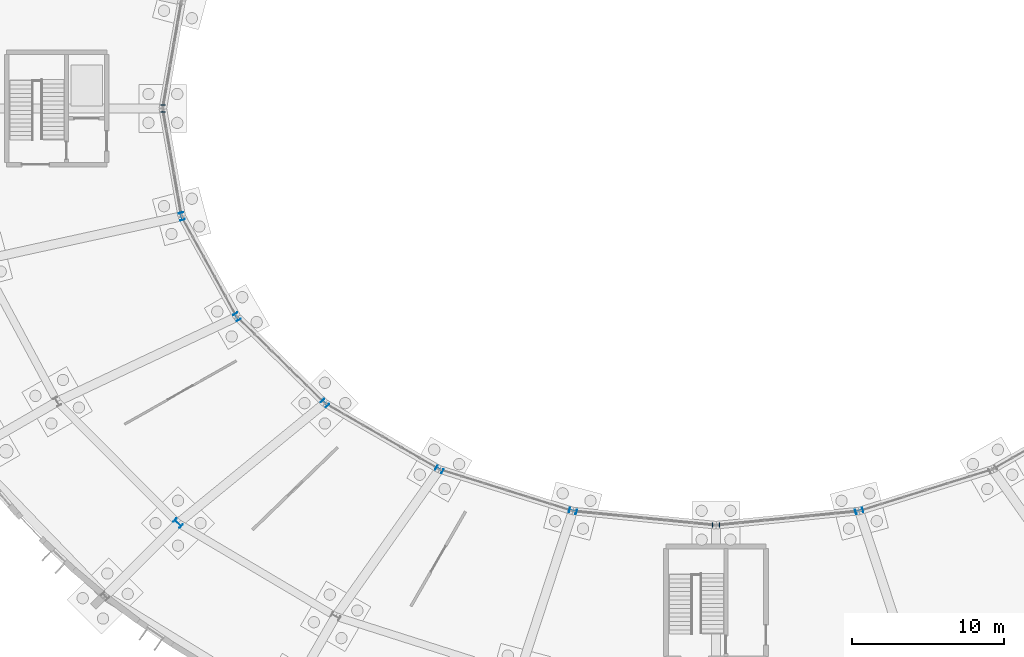
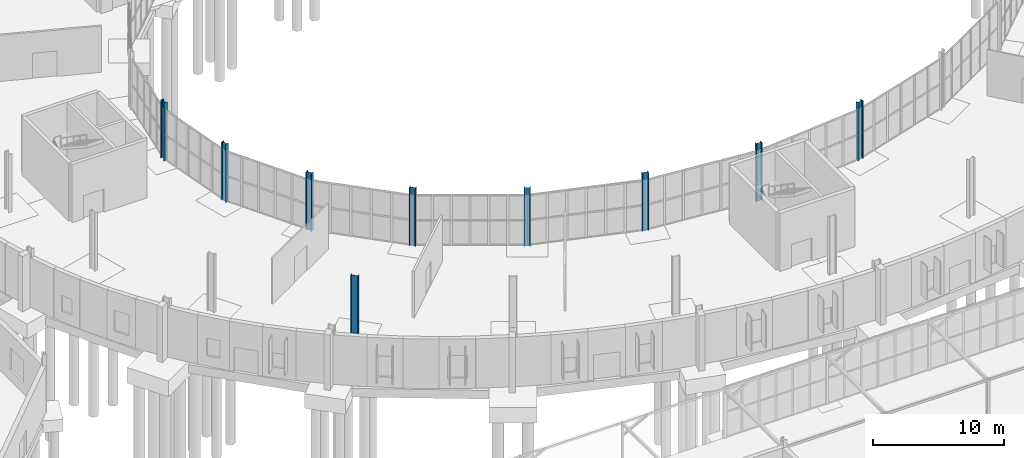
# One storey, part 27 of 118: 9 columns.
"""IFC4 building model written with IfcOpenShell, lengths in metres."""

from ifc_helpers import new_model, si_unit, direction, frame, origin, origin_2d, place, context, subcontext, project, spatial, i_section, extrude, material, material_profile, profile_set, type_object, element, save


model = new_model("IFC4")

# Units and contexts
model_context = context("Model", 3, precision=1e-05, world=origin(), true_north=direction((0.0, 1.0)))
body_context = subcontext(model_context, "Body", "Model", "MODEL_VIEW")
ifc_project = project(units=[si_unit("LENGTHUNIT", "METRE"), si_unit("AREAUNIT", "SQUARE_METRE"), si_unit("VOLUMEUNIT", "CUBIC_METRE"), si_unit("PLANEANGLEUNIT", "RADIAN"), si_unit("MASSUNIT", "GRAM", prefix="KILO")], contexts=[model_context])

# Site, building, storey
site_placement = place(None, origin())
site = spatial("IfcSite", under=ifc_project, at=site_placement, CompositionType="ELEMENT")
building_placement = place(site_placement, origin())
building = spatial("IfcBuilding", under=site, at=building_placement, Name="Kildeholm Park Wholesale Market", CompositionType="ELEMENT")
storey_placement = place(building_placement, origin())
storey = spatial("IfcBuildingStorey", under=building, at=storey_placement, Name="L00", CompositionType="ELEMENT", Elevation=0.0)

# Columns
ifc_material = material(Name="Steel S355", Category="steel")
ifc_material_profile_1 = material_profile(ifc_material, i_section(OverallWidth=0.300048828125, OverallDepth=0.5, WebThickness=0.014404296875, FlangeThickness=0.028076171875, FilletRadius=0.027099609375, at=origin_2d()), Name="HEB 500")
ifc_profile_set_1 = profile_set([ifc_material_profile_1], Name="Steel S355")
column_type_1 = type_object("IfcColumnType", Name="Column C-S07 HEB 500", PredefinedType="COLUMN", material=ifc_profile_set_1)
for number, where, z_axis, x_axis, name in (
    (1, (62.5, 89.5, 0.0), (0.0, 0.0, 1.0), (-1.0, 0.0, 0.0), "Column V1-IN-12 L00 COL-0109"),
    (2, (63.743896484375, 82.382080078125, 0.0), (0.0, 0.0, 1.0), (-0.965925826289, -0.258819045103, 0.0), "Column V1-IN-13 L00 COL-0118"),
    (3, (67.389892578125, 75.75, 0.0), (0.0, 0.0, 1.0), (-0.866025403784, -0.5, 0.0), "Column V1-IN-14 L00 COL-0127"),
    (4, (73.19091796875, 70.054931640625, 0.0), (0.0, 0.0, 1.0), (-0.707106781187, -0.707106781187, 0.0), "Column V1-IN-15 L00 COL-0136"),
    (5, (80.75, 65.68408203125, 0.0), (0.0, 0.0, 1.0), (-0.5, -0.866025403784, 0.0), "Column V1-IN-16 L00 COL-0145"),
    (6, (89.552978515625, 62.93701171875, 0.0), (0.0, 0.0, 1.0), (-0.258819045103, -0.965925826289, 0.0), "Column V1-IN-17 L00 COL-0154"),
    (7, (99.0, 62.0, 0.0), (0.0, 0.0, 1.0), (0.0, -1.0, 0.0), "Column V1-IN-18 L00 COL-0163"),
    (8, (108.447021484375, 62.93701171875, 0.0), (0.0, 0.0, 1.0), (0.258819045103, -0.965925826289, 0.0), "Column V1-IN-19 L00 COL-0172"),
):
    element("IfcColumn", number, at=place(storey_placement, frame(where, z_axis=z_axis, x_axis=x_axis)), inside=storey, type_object=column_type_1, Name=name, PredefinedType="COLUMN", context=body_context, shape_type="SweptSolid", body=[
        extrude(i_section(OverallWidth=0.300048828125, OverallDepth=0.5, WebThickness=0.014404296875, FlangeThickness=0.028076171875, FilletRadius=0.027099609375, at=origin_2d()), origin(), (0.0, 0.0, 1.0), 5.39990234375),
    ])
ifc_material_profile_2 = material_profile(ifc_material, i_section(OverallWidth=0.300048828125, OverallDepth=0.60009765625, WebThickness=0.015380859375, FlangeThickness=0.030029296875, FilletRadius=0.027099609375, at=origin_2d()), Name="HEB 600")
ifc_profile_set_2 = profile_set([ifc_material_profile_2], Name="Steel S355")
column_type_2 = type_object("IfcColumnType", Name="Column C-S08 HEB 600", PredefinedType="COLUMN", material=ifc_profile_set_2)
column_placement = place(storey_placement, frame((63.5029296875, 62.135009765625, 0.0), z_axis=(0.0, 0.0, 1.0), x_axis=(-0.707106781187, -0.707106781187, 0.0)))
element("IfcColumn", 9, at=column_placement, inside=storey, type_object=column_type_2, Name="Column V1-MD-15 L00 COL-0139", PredefinedType="COLUMN", context=body_context, shape_type="SweptSolid", body=[
    extrude(i_section(OverallWidth=0.300048828125, OverallDepth=0.60009765625, WebThickness=0.015380859375, FlangeThickness=0.030029296875, FilletRadius=0.027099609375, at=origin_2d()), origin(), (0.0, 0.0, 1.0), 5.39990234375),
])

save(model, "model.ifc")
